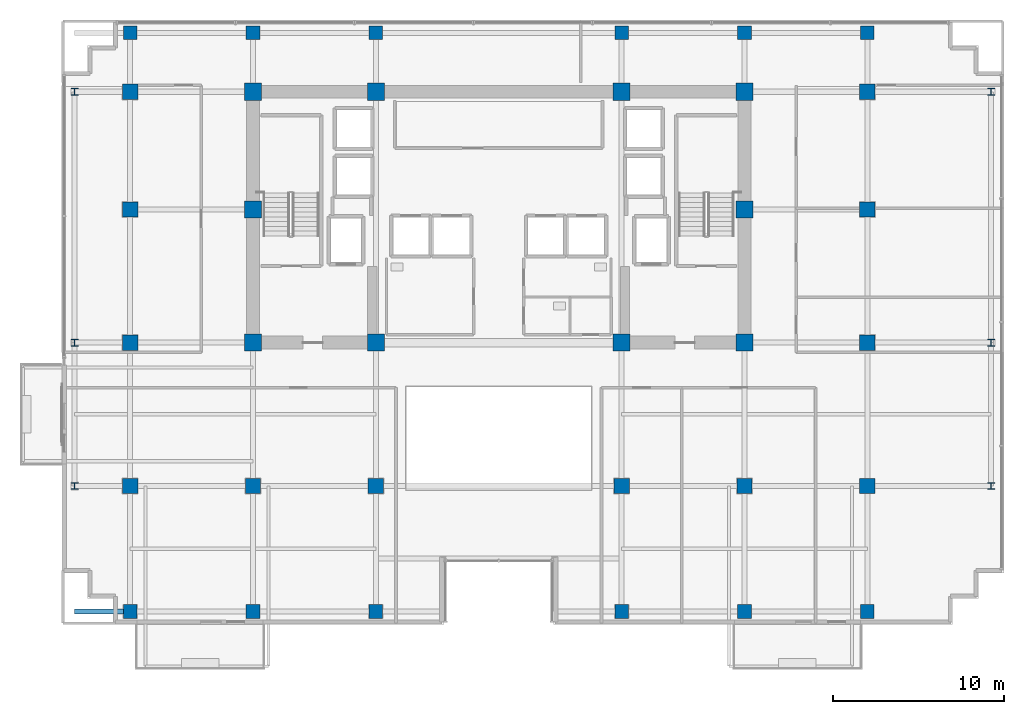
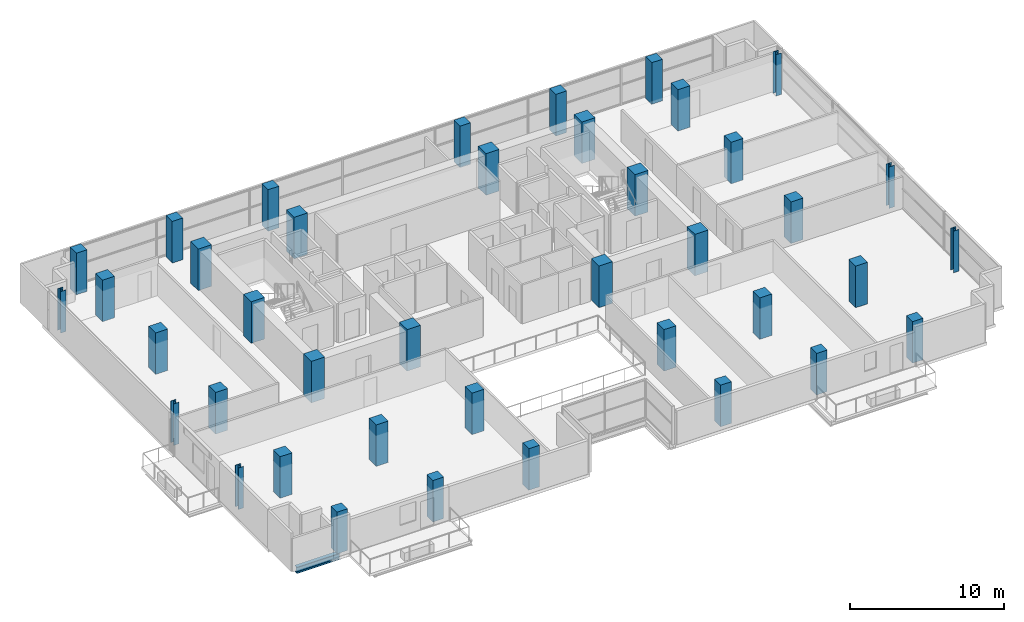
# One storey, part 1 of 23: 40 columns, 1 beam.
"""IFC4 building model written with IfcOpenShell, lengths in metres."""

from ifc_helpers import new_model, si_unit, direction, frame, origin, origin_2d, place, context, subcontext, project, spatial, rectangle, i_section, extrude, material, material_profile, profile_set, type_object, element, save


model = new_model("IFC4")

# Units and contexts
model_context = context("Model", 3, precision=1e-05, world=origin(), true_north=direction((0.0, 1.0)))
body_context = subcontext(model_context, "Body", "Model", "MODEL_VIEW")
ifc_project = project(units=[si_unit("LENGTHUNIT", "METRE"), si_unit("AREAUNIT", "SQUARE_METRE"), si_unit("VOLUMEUNIT", "CUBIC_METRE"), si_unit("PLANEANGLEUNIT", "RADIAN"), si_unit("MASSUNIT", "GRAM", prefix="KILO")], contexts=[model_context])

# Site, building, storey
site_placement = place(None, origin())
site = spatial("IfcSite", under=ifc_project, at=site_placement, CompositionType="ELEMENT")
building_placement = place(site_placement, origin())
building = spatial("IfcBuilding", under=site, at=building_placement, Name="Zarnakvel Exchange Tower", CompositionType="ELEMENT")
storey_placement = place(building_placement, frame((0.0, 0.0, 129.699951171875)))
storey = spatial("IfcBuildingStorey", under=building, at=storey_placement, Name="L36", CompositionType="ELEMENT", Elevation=129.699951171875)

# Columns
ifc_material_1 = material(Name="Concrete C60/75", Category="concrete")
ifc_material_profile_1 = material_profile(ifc_material_1, rectangle(XDim=1.0, YDim=1.0, at=origin_2d()))
ifc_profile_set_1 = profile_set([ifc_material_profile_1], Name="Concrete C60/75")
column_type_1 = type_object("IfcColumnType", Name="CC-02", PredefinedType="COLUMN", material=ifc_profile_set_1)
for number, where, z_axis, x_axis, name in (
    (1, (-14.39990234375, -1.199951171875, 0.0), (0.0, 0.0, 1.0), (1.0, 0.0, 0.0), "L36 Column C-4D (CC-02)"),
    (2, (-7.199951171875, -1.199951171875, 0.0), (0.0, 0.0, 1.0), (1.0, 0.0, 0.0), "L36 Column C-5D (CC-02)"),
    (3, (7.199951171875, -1.199951171875, 0.0), (0.0, 0.0, 1.0), (1.0, 0.0, 0.0), "L36 Column C-8D (CC-02)"),
    (4, (14.39990234375, -1.199951171875, 0.0), (0.0, 0.0, 1.0), (1.0, 0.0, 0.0), "L36 Column C-9D (CC-02)"),
    (5, (-14.39990234375, 6.60009765625, 0.0), (0.0, 0.0, 1.0), (1.0, 0.0, 0.0), "L36 Column C-4E (CC-02)"),
    (6, (14.39990234375, 6.60009765625, 0.0), (0.0, 0.0, 1.0), (1.0, 0.0, 0.0), "L36 Column C-9E (CC-02)"),
    (7, (-14.39990234375, 13.5, 0.0), (0.0, 0.0, 1.0), (1.0, 0.0, 0.0), "L36 Column C-4F (CC-02)"),
    (8, (-7.199951171875, 13.5, 0.0), (0.0, 0.0, 1.0), (1.0, 0.0, 0.0), "L36 Column C-5F (CC-02)"),
    (9, (7.199951171875, 13.5, 0.0), (0.0, 0.0, 1.0), (1.0, 0.0, 0.0), "L36 Column C-8F (CC-02)"),
    (10, (14.39990234375, 13.5, 0.0), (0.0, 0.0, 1.0), (1.0, 0.0, 0.0), "L36 Column C-9F (CC-02)"),
):
    element("IfcColumn", number, at=place(storey_placement, frame(where, z_axis=z_axis, x_axis=x_axis)), inside=storey, type_object=column_type_1, Name=name, PredefinedType="COLUMN", context=body_context, shape_type="SweptSolid", body=[
        extrude(rectangle(XDim=1.0, YDim=1.0, at=origin_2d()), origin(), (0.0, 0.0, 1.0), 3.300048828125),
    ])
ifc_material_2 = material(Name="Steel S355", Category="steel")
ifc_material_profile_2 = material_profile(ifc_material_2, i_section(OverallWidth=0.404052734375, OverallDepth=0.406982421875, WebThickness=0.0224609375, FlangeThickness=0.031982421875, FilletRadius=0.014892578125, at=origin_2d()))
ifc_profile_set_2 = profile_set([ifc_material_profile_2], Name="Steel S355")
column_type_2 = type_object("IfcColumnType", Name="SC-02", PredefinedType="COLUMN", material=ifc_profile_set_2)
for number, where, z_axis, x_axis, name in (
    (11, (-24.85009765625, -9.60009765625, 0.0), (0.0, 0.0, 1.0), (1.0, 0.0, 0.0), "L36 Column TW-C (SC-02)"),
    (12, (28.85009765625, -9.60009765625, 0.0), (0.0, 0.0, 1.0), (1.0, 0.0, 0.0), "L36 Column TE-C (SC-02)"),
    (13, (-24.85009765625, -1.199951171875, 0.0), (0.0, 0.0, 1.0), (1.0, 0.0, 0.0), "L36 Column TW-D (SC-02)"),
    (14, (28.85009765625, -1.199951171875, 0.0), (0.0, 0.0, 1.0), (1.0, 0.0, 0.0), "L36 Column TE-D (SC-02)"),
    (15, (-24.85009765625, 13.5, 0.0), (0.0, 0.0, 1.0), (1.0, 0.0, 0.0), "L36 Column TW-F (SC-02)"),
    (16, (28.85009765625, 13.5, 0.0), (0.0, 0.0, 1.0), (1.0, 0.0, 0.0), "L36 Column TE-F (SC-02)"),
):
    element("IfcColumn", number, at=place(storey_placement, frame(where, z_axis=z_axis, x_axis=x_axis)), inside=storey, type_object=column_type_2, Name=name, PredefinedType="COLUMN", context=body_context, shape_type="SweptSolid", body=[
        extrude(i_section(OverallWidth=0.404052734375, OverallDepth=0.406982421875, WebThickness=0.0224609375, FlangeThickness=0.031982421875, FilletRadius=0.014892578125, at=origin_2d()), origin(), (0.0, 0.0, 1.0), 3.300048828125),
    ])
ifc_material_profile_3 = material_profile(ifc_material_1, rectangle(XDim=0.89990234375, YDim=0.89990234375, at=origin_2d()))
ifc_profile_set_3 = profile_set([ifc_material_profile_3], Name="Concrete C60/75")
column_type_3 = type_object("IfcColumnType", Name="TC-02", PredefinedType="COLUMN", material=ifc_profile_set_3)
for number, where, z_axis, x_axis, name in (
    (17, (-14.39990234375, -9.60009765625, 0.0), (0.0, 0.0, 1.0), (1.0, 0.0, 0.0), "L36 Column T-4C (TC-02)"),
    (18, (-7.199951171875, -9.60009765625, 0.0), (0.0, 0.0, 1.0), (1.0, 0.0, 0.0), "L36 Column T-5C (TC-02)"),
    (19, (7.199951171875, -9.60009765625, 0.0), (0.0, 0.0, 1.0), (1.0, 0.0, 0.0), "L36 Column T-8C (TC-02)"),
    (20, (14.39990234375, -9.60009765625, 0.0), (0.0, 0.0, 1.0), (1.0, 0.0, 0.0), "L36 Column T-9C (TC-02)"),
    (21, (-21.60009765625, -9.60009765625, 0.0), (0.0, 0.0, 1.0), (1.0, 0.0, 0.0), "L36 Column T-3C (TC-02)"),
    (22, (-21.60009765625, -1.199951171875, 0.0), (0.0, 0.0, 1.0), (1.0, 0.0, 0.0), "L36 Column T-3D (TC-02)"),
    (23, (-21.60009765625, 6.60009765625, 0.0), (0.0, 0.0, 1.0), (1.0, 0.0, 0.0), "L36 Column T-3E (TC-02)"),
    (24, (-21.60009765625, 13.5, 0.0), (0.0, 0.0, 1.0), (1.0, 0.0, 0.0), "L36 Column T-3F (TC-02)"),
    (25, (21.60009765625, -9.60009765625, 0.0), (0.0, 0.0, 1.0), (1.0, 0.0, 0.0), "L36 Column T-10C (TC-02)"),
    (26, (21.60009765625, -1.199951171875, 0.0), (0.0, 0.0, 1.0), (1.0, 0.0, 0.0), "L36 Column T-10D (TC-02)"),
    (27, (21.60009765625, 6.60009765625, 0.0), (0.0, 0.0, 1.0), (1.0, 0.0, 0.0), "L36 Column T-10E (TC-02)"),
    (28, (21.60009765625, 13.5, 0.0), (0.0, 0.0, 1.0), (1.0, 0.0, 0.0), "L36 Column T-10F (TC-02)"),
):
    element("IfcColumn", number, at=place(storey_placement, frame(where, z_axis=z_axis, x_axis=x_axis)), inside=storey, type_object=column_type_3, Name=name, PredefinedType="COLUMN", context=body_context, shape_type="SweptSolid", body=[
        extrude(rectangle(XDim=0.89990234375, YDim=0.89990234375, at=origin_2d()), origin(), (0.0, 0.0, 1.0), 3.300048828125),
    ])
ifc_material_profile_4 = material_profile(ifc_material_1, rectangle(XDim=0.800048828125, YDim=0.800048828125, at=origin_2d()))
ifc_profile_set_4 = profile_set([ifc_material_profile_4], Name="Concrete C60/75")
column_type_4 = type_object("IfcColumnType", Name="TC-03", PredefinedType="COLUMN", material=ifc_profile_set_4)
for number, where, z_axis, x_axis, name in (
    (29, (-14.39990234375, -16.949951171875, 0.0), (0.0, 0.0, 1.0), (1.0, 0.0, 0.0), "L36 Column TS-4 (TC-03)"),
    (30, (-14.39990234375, 16.949951171875, 0.0), (0.0, 0.0, 1.0), (1.0, 0.0, 0.0), "L36 Column TN-4 (TC-03)"),
    (31, (-7.199951171875, -16.949951171875, 0.0), (0.0, 0.0, 1.0), (1.0, 0.0, 0.0), "L36 Column TS-5 (TC-03)"),
    (32, (-7.199951171875, 16.949951171875, 0.0), (0.0, 0.0, 1.0), (1.0, 0.0, 0.0), "L36 Column TN-5 (TC-03)"),
    (33, (7.199951171875, -16.949951171875, 0.0), (0.0, 0.0, 1.0), (1.0, 0.0, 0.0), "L36 Column TS-8 (TC-03)"),
    (34, (7.199951171875, 16.949951171875, 0.0), (0.0, 0.0, 1.0), (1.0, 0.0, 0.0), "L36 Column TN-8 (TC-03)"),
    (35, (14.39990234375, -16.949951171875, 0.0), (0.0, 0.0, 1.0), (1.0, 0.0, 0.0), "L36 Column TS-9 (TC-03)"),
    (36, (14.39990234375, 16.949951171875, 0.0), (0.0, 0.0, 1.0), (1.0, 0.0, 0.0), "L36 Column TN-9 (TC-03)"),
    (37, (-21.60009765625, -16.949951171875, 0.0), (0.0, 0.0, 1.0), (1.0, 0.0, 0.0), "L36 Column TS-3 (TC-03)"),
    (38, (-21.60009765625, 16.949951171875, 0.0), (0.0, 0.0, 1.0), (1.0, 0.0, 0.0), "L36 Column TN-3 (TC-03)"),
    (39, (21.60009765625, -16.949951171875, 0.0), (0.0, 0.0, 1.0), (1.0, 0.0, 0.0), "L36 Column TS-10 (TC-03)"),
    (40, (21.60009765625, 16.949951171875, 0.0), (0.0, 0.0, 1.0), (1.0, 0.0, 0.0), "L36 Column TN-10 (TC-03)"),
):
    element("IfcColumn", number, at=place(storey_placement, frame(where, z_axis=z_axis, x_axis=x_axis)), inside=storey, type_object=column_type_4, Name=name, PredefinedType="COLUMN", context=body_context, shape_type="SweptSolid", body=[
        extrude(rectangle(XDim=0.800048828125, YDim=0.800048828125, at=origin_2d()), origin(), (0.0, 0.0, 1.0), 3.300048828125),
    ])

# Beam
ifc_material_profile_5 = material_profile(ifc_material_2, i_section(OverallWidth=0.300048828125, OverallDepth=0.5, WebThickness=0.014404296875, FlangeThickness=0.028076171875, FilletRadius=0.027099609375, at=origin_2d()))
ifc_profile_set_5 = profile_set([ifc_material_profile_5], Name="Steel S355")
beam_type = type_object("IfcBeamType", Name="SP-02", PredefinedType="SPANDREL", material=ifc_profile_set_5)
beam_placement = place(storey_placement, frame((-24.85009765625, -16.949951171875, -0.474853515625), z_axis=(1.0, 0.0, 0.0), x_axis=(0.0, 1.0, 0.0)))
element("IfcBeam", 41, at=beam_placement, inside=storey, type_object=beam_type, Name="L36 South-West Corner Spandrel", PredefinedType="SPANDREL", context=body_context, shape_type="SweptSolid", body=[
    extrude(i_section(OverallWidth=0.300048828125, OverallDepth=0.5, WebThickness=0.014404296875, FlangeThickness=0.028076171875, FilletRadius=0.027099609375, at=origin_2d()), origin(), (0.0, 0.0, 1.0), 3.25),
])

save(model, "model.ifc")
